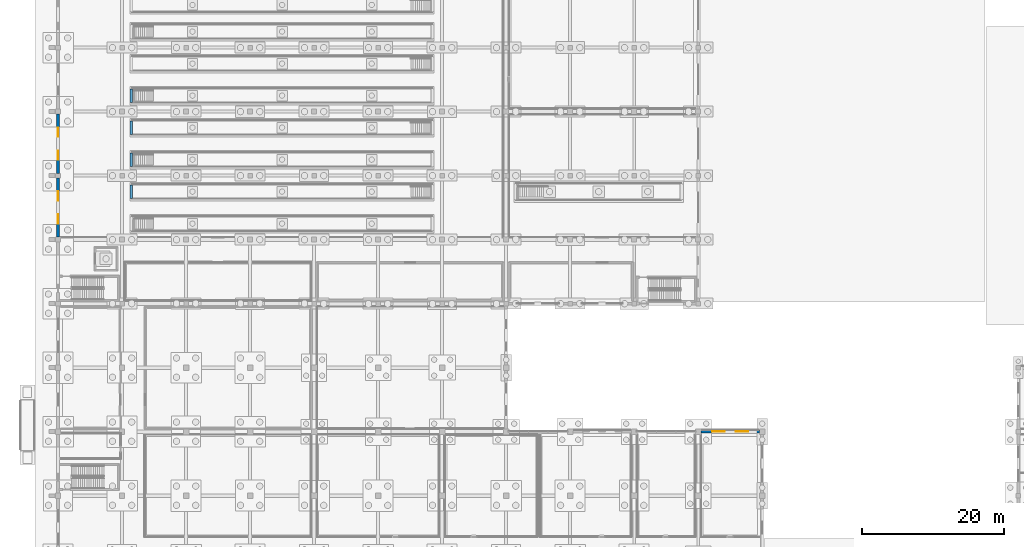
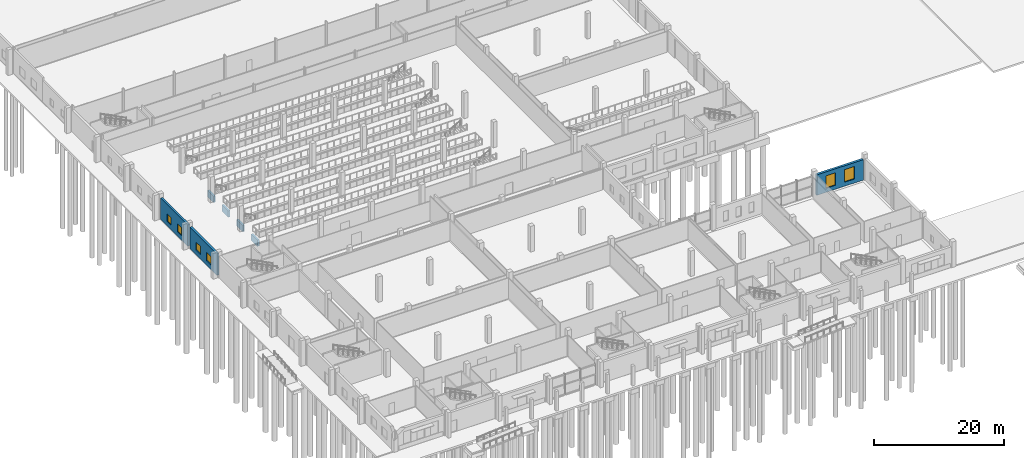
# One storey, part 67 of 112: 7 walls, 6 windows, 6 openings.
"""IFC4 building model written with IfcOpenShell, lengths in metres."""

from ifc_helpers import new_model, si_unit, direction, frame, frame_2d, origin, place, context, subcontext, project, spatial, rectangle, extrude, material, layer, layer_set, type_object, element, fill, save


model = new_model("IFC4")

# Units and contexts
model_context = context("Model", 3, precision=1e-05, world=origin(), true_north=direction((0.0, 1.0)))
body_context = subcontext(model_context, "Body", "Model", "MODEL_VIEW")
ifc_project = project(units=[si_unit("LENGTHUNIT", "METRE"), si_unit("AREAUNIT", "SQUARE_METRE"), si_unit("VOLUMEUNIT", "CUBIC_METRE"), si_unit("PLANEANGLEUNIT", "RADIAN"), si_unit("MASSUNIT", "GRAM", prefix="KILO")], contexts=[model_context])

# Site, building, storey
site_placement = place(None, origin())
site = spatial("IfcSite", under=ifc_project, at=site_placement, CompositionType="ELEMENT")
building_placement = place(site_placement, origin())
building = spatial("IfcBuilding", under=site, at=building_placement, Name="Tharagai Park Tramway Depot", CompositionType="ELEMENT")
storey_placement = place(building_placement, origin())
storey = spatial("IfcBuildingStorey", under=building, at=storey_placement, Name="L00", CompositionType="ELEMENT", Elevation=0.0)

# Wall, openings, windows
ifc_material_1 = material(Name="Charnockite stone", Category="masonry")
ifc_layer_1 = layer(ifc_material_1, 0.3798828125)
ifc_layer_set_1 = layer_set([ifc_layer_1], Name="Charnockite stone")
wall_type_1 = type_object("IfcWallType", Name="EW-01", PredefinedType="SOLIDWALL", material=ifc_layer_set_1)
wall_1_placement = place(storey_placement, frame((0.0, 54.347900390625, 0.0), z_axis=(0.0, 0.0, 1.0), x_axis=(0.0, 1.0, 0.0)))
wall_1 = element("IfcWall", 1, at=wall_1_placement, inside=storey, type_object=wall_type_1, Name="L00 V2 Exterior Masonry Wall EW-01", PredefinedType="SOLIDWALL", context=body_context, shape_type="SweptSolid", body=[
    extrude(rectangle(XDim=8.3291015625, YDim=0.3798828125, at=frame_2d((4.16455078125, 0.0))), origin(), (0.0, 0.0, 1.0), 4.011962890625),
])
opening_1_placement = place(wall_1_placement, frame((1.85595703125, 0.0, 0.85009765625)))
opening_1 = element("IfcOpeningElement", 2, at=opening_1_placement, cuts=wall_1, Name="Opening WN-12", PredefinedType="OPENING", context=body_context, shape_type="SweptSolid", body=[
    extrude(rectangle(XDim=1.3798828125, YDim=1.52001953125, at=frame_2d((0.68994140625, 0.760009765625))), frame((0.0, 0.199951171875, 0.0), z_axis=(0.0, -1.0, 0.0), x_axis=(1.0, 0.0, 0.0)), (0.0, 0.0, 1.0), 0.39990234375),
])
opening_2_placement = place(wall_1_placement, frame((5.093017578125, 0.0, 0.85009765625)))
opening_2 = element("IfcOpeningElement", 3, at=opening_2_placement, cuts=wall_1, Name="Opening WN-12", PredefinedType="OPENING", context=body_context, shape_type="SweptSolid", body=[
    extrude(rectangle(XDim=1.3798828125, YDim=1.52001953125, at=frame_2d((0.68994140625, 0.760009765625))), frame((0.0, 0.199951171875, 0.0), z_axis=(0.0, -1.0, 0.0), x_axis=(1.0, 0.0, 0.0)), (0.0, 0.0, 1.0), 0.39990234375),
])
ifc_material_2 = material(Name="Laminated solar-control glass", Category="glass")
window_type_1 = type_object("IfcWindowType", Name="WN-12", PartitioningType="SINGLE_PANEL", PredefinedType="WINDOW", material=ifc_material_2)
window_1_placement = place(opening_1_placement, origin())
window_1 = element("IfcWindow", 4, at=window_1_placement, inside=storey, type_object=window_type_1, Name="L00 V2 Side Lancet Window WN-12", OverallHeight=1.52001953125, OverallWidth=1.3798828125, PartitioningType="SINGLE_PANEL", PredefinedType="WINDOW", context=body_context, shape_type="SweptSolid", body=[
    extrude(rectangle(XDim=1.3798828125, YDim=1.52001953125, at=frame_2d((0.68994140625, 0.760009765625))), frame((0.0, 0.030029296875, 0.0), z_axis=(0.0, -1.0, 0.0), x_axis=(1.0, 0.0, 0.0)), (0.0, 0.0, 1.0), 0.06005859375),
])
fill(opening_1, window_1)
window_2_placement = place(opening_2_placement, origin())
window_2 = element("IfcWindow", 5, at=window_2_placement, inside=storey, type_object=window_type_1, Name="L00 V2 Side Lancet Window WN-12", OverallHeight=1.52001953125, OverallWidth=1.3798828125, PartitioningType="SINGLE_PANEL", PredefinedType="WINDOW", context=body_context, shape_type="SweptSolid", body=[
    extrude(rectangle(XDim=1.3798828125, YDim=1.52001953125, at=frame_2d((0.68994140625, 0.760009765625))), frame((0.0, 0.030029296875, 0.0), z_axis=(0.0, -1.0, 0.0), x_axis=(1.0, 0.0, 0.0)), (0.0, 0.0, 1.0), 0.06005859375),
])
fill(opening_2, window_2)

wall_2_placement = place(storey_placement, frame((0.0, 63.322998046875, 0.0), z_axis=(0.0, 0.0, 1.0), x_axis=(0.0, 1.0, 0.0)))
wall_2 = element("IfcWall", 6, at=wall_2_placement, inside=storey, type_object=wall_type_1, Name="L00 V2 Exterior Masonry Wall EW-01", PredefinedType="SOLIDWALL", context=body_context, shape_type="SweptSolid", body=[
    extrude(rectangle(XDim=8.3291015625, YDim=0.3798828125, at=frame_2d((4.16455078125, 0.0))), origin(), (0.0, 0.0, 1.0), 4.011962890625),
])
opening_3_placement = place(wall_2_placement, frame((1.93603515625, 0.0, 0.85009765625)))
opening_3 = element("IfcOpeningElement", 7, at=opening_3_placement, cuts=wall_2, Name="Opening WN-09", PredefinedType="OPENING", context=body_context, shape_type="SweptSolid", body=[
    extrude(rectangle(XDim=1.260009765625, YDim=1.4599609375, at=frame_2d((0.6298828125, 0.72998046875))), frame((0.0, 0.199951171875, 0.0), z_axis=(0.0, -1.0, 0.0), x_axis=(1.0, 0.0, 0.0)), (0.0, 0.0, 1.0), 0.39990234375),
])
opening_4_placement = place(wall_2_placement, frame((5.133056640625, 0.0, 0.85009765625)))
opening_4 = element("IfcOpeningElement", 8, at=opening_4_placement, cuts=wall_2, Name="Opening WN-09", PredefinedType="OPENING", context=body_context, shape_type="SweptSolid", body=[
    extrude(rectangle(XDim=1.260009765625, YDim=1.4599609375, at=frame_2d((0.6298828125, 0.72998046875))), frame((0.0, 0.199951171875, 0.0), z_axis=(0.0, -1.0, 0.0), x_axis=(1.0, 0.0, 0.0)), (0.0, 0.0, 1.0), 0.39990234375),
])
window_type_2 = type_object("IfcWindowType", Name="WN-09", PartitioningType="SINGLE_PANEL", PredefinedType="WINDOW", material=ifc_material_2)
window_3_placement = place(opening_3_placement, origin())
window_3 = element("IfcWindow", 9, at=window_3_placement, inside=storey, type_object=window_type_2, Name="L00 V2 Side Lancet Window WN-09", OverallHeight=1.4599609375, OverallWidth=1.260009765625, PartitioningType="SINGLE_PANEL", PredefinedType="WINDOW", context=body_context, shape_type="SweptSolid", body=[
    extrude(rectangle(XDim=1.260009765625, YDim=1.4599609375, at=frame_2d((0.6298828125, 0.72998046875))), frame((0.0, 0.030029296875, 0.0), z_axis=(0.0, -1.0, 0.0), x_axis=(1.0, 0.0, 0.0)), (0.0, 0.0, 1.0), 0.06005859375),
])
fill(opening_3, window_3)
window_4_placement = place(opening_4_placement, origin())
window_4 = element("IfcWindow", 10, at=window_4_placement, inside=storey, type_object=window_type_2, Name="L00 V2 Side Lancet Window WN-09", OverallHeight=1.4599609375, OverallWidth=1.260009765625, PartitioningType="SINGLE_PANEL", PredefinedType="WINDOW", context=body_context, shape_type="SweptSolid", body=[
    extrude(rectangle(XDim=1.260009765625, YDim=1.4599609375, at=frame_2d((0.6298828125, 0.72998046875))), frame((0.0, 0.030029296875, 0.0), z_axis=(0.0, -1.0, 0.0), x_axis=(1.0, 0.0, 0.0)), (0.0, 0.0, 1.0), 0.06005859375),
])
fill(opening_4, window_4)

ifc_layer_2 = layer(ifc_material_1, 0.419921875)
ifc_layer_set_2 = layer_set([ifc_layer_2], Name="Charnockite stone")
wall_type_2 = type_object("IfcWallType", Name="EW-07", PredefinedType="SOLIDWALL", material=ifc_layer_set_2)
wall_3_placement = place(storey_placement, frame((90.373046875, 27.0, 0.0), z_axis=(0.0, 0.0, 1.0), x_axis=(1.0, 0.0, 0.0)))
wall_3 = element("IfcWall", 11, at=wall_3_placement, inside=storey, type_object=wall_type_2, Name="L00 V4 Exterior Masonry Wall EW-07", PredefinedType="SOLIDWALL", context=body_context, shape_type="SweptSolid", body=[
    extrude(rectangle(XDim=8.25390625, YDim=0.419921875, at=frame_2d((4.126953125, 0.0))), origin(), (0.0, 0.0, 1.0), 3.842041015625),
])
opening_5_placement = place(wall_3_placement, frame((1.5849609375, 0.0, 0.75)))
opening_5 = element("IfcOpeningElement", 12, at=opening_5_placement, cuts=wall_3, Name="Opening WN-23", PredefinedType="OPENING", context=body_context, shape_type="SweptSolid", body=[
    extrude(rectangle(XDim=1.75, YDim=2.35009765625, at=frame_2d((0.875, 1.175048828125))), frame((0.0, 0.219970703125, 0.0), z_axis=(0.0, -1.0, 0.0), x_axis=(1.0, 0.0, 0.0)), (0.0, 0.0, 1.0), 0.43994140625),
])
opening_6_placement = place(wall_3_placement, frame((4.9189453125, 0.0, 0.75)))
opening_6 = element("IfcOpeningElement", 13, at=opening_6_placement, cuts=wall_3, Name="Opening WN-23", PredefinedType="OPENING", context=body_context, shape_type="SweptSolid", body=[
    extrude(rectangle(XDim=1.75, YDim=2.35009765625, at=frame_2d((0.875, 1.175048828125))), frame((0.0, 0.219970703125, 0.0), z_axis=(0.0, -1.0, 0.0), x_axis=(1.0, 0.0, 0.0)), (0.0, 0.0, 1.0), 0.43994140625),
])
window_type_3 = type_object("IfcWindowType", Name="WN-23", PartitioningType="SINGLE_PANEL", PredefinedType="WINDOW", material=ifc_material_2)
window_5_placement = place(opening_5_placement, origin())
window_5 = element("IfcWindow", 14, at=window_5_placement, inside=storey, type_object=window_type_3, Name="L00 V4 Gothic Lancet Window WN-23", OverallHeight=2.35009765625, OverallWidth=1.75, PartitioningType="SINGLE_PANEL", PredefinedType="WINDOW", context=body_context, shape_type="SweptSolid", body=[
    extrude(rectangle(XDim=1.75, YDim=2.35009765625, at=frame_2d((0.875, 1.175048828125))), frame((0.0, 0.030029296875, 0.0), z_axis=(0.0, -1.0, 0.0), x_axis=(1.0, 0.0, 0.0)), (0.0, 0.0, 1.0), 0.06005859375),
])
fill(opening_5, window_5)
window_6_placement = place(opening_6_placement, origin())
window_6 = element("IfcWindow", 15, at=window_6_placement, inside=storey, type_object=window_type_3, Name="L00 V4 Gothic Lancet Window WN-23", OverallHeight=2.35009765625, OverallWidth=1.75, PartitioningType="SINGLE_PANEL", PredefinedType="WINDOW", context=body_context, shape_type="SweptSolid", body=[
    extrude(rectangle(XDim=1.75, YDim=2.35009765625, at=frame_2d((0.875, 1.175048828125))), frame((0.0, 0.030029296875, 0.0), z_axis=(0.0, -1.0, 0.0), x_axis=(1.0, 0.0, 0.0)), (0.0, 0.0, 1.0), 0.06005859375),
])
fill(opening_6, window_6)

# Walls
ifc_material_3 = material(Name="Concrete M40", Category="concrete")
ifc_layer_3 = layer(ifc_material_3, 0.35009765625)
ifc_layer_set_3 = layer_set([ifc_layer_3], Name="Concrete M40")
wall_type_3 = type_object("IfcWallType", Name="PW-02", PredefinedType="SOLIDWALL", material=ifc_layer_set_3)
for number, where, z_axis, x_axis, name in (
    (16, (10.324951171875, 59.800048828125, -1.5), (0.0, 0.0, 1.0), (0.0, 1.0, 0.0), "Inspection Pit Track 2 Retaining Wall W"),
    (17, (10.324951171875, 64.300048828125, -1.5), (0.0, 0.0, 1.0), (0.0, 1.0, 0.0), "Inspection Pit Track 3 Retaining Wall W"),
    (18, (10.324951171875, 68.800048828125, -1.5), (0.0, 0.0, 1.0), (0.0, 1.0, 0.0), "Inspection Pit Track 4 Retaining Wall W"),
    (19, (10.324951171875, 73.300048828125, -1.5), (0.0, 0.0, 1.0), (0.0, 1.0, 0.0), "Inspection Pit Track 5 Retaining Wall W"),
):
    element("IfcWall", number, at=place(storey_placement, frame(where, z_axis=z_axis, x_axis=x_axis)), inside=storey, type_object=wall_type_3, Name=name, PredefinedType="SOLIDWALL", context=body_context, shape_type="SweptSolid", body=[
        extrude(rectangle(XDim=1.89990234375, YDim=0.35009765625, at=frame_2d((0.949951171875, 0.0))), origin(), (0.0, 0.0, 1.0), 1.199951171875),
    ])

save(model, "model.ifc")
